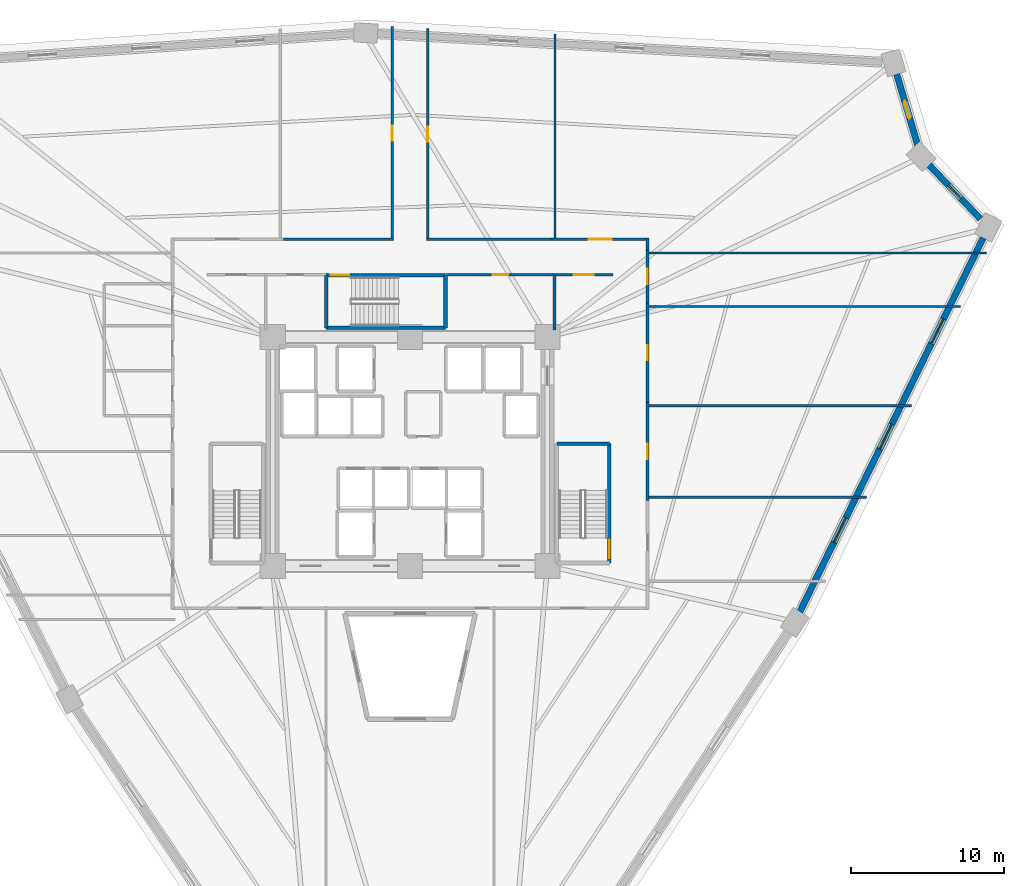
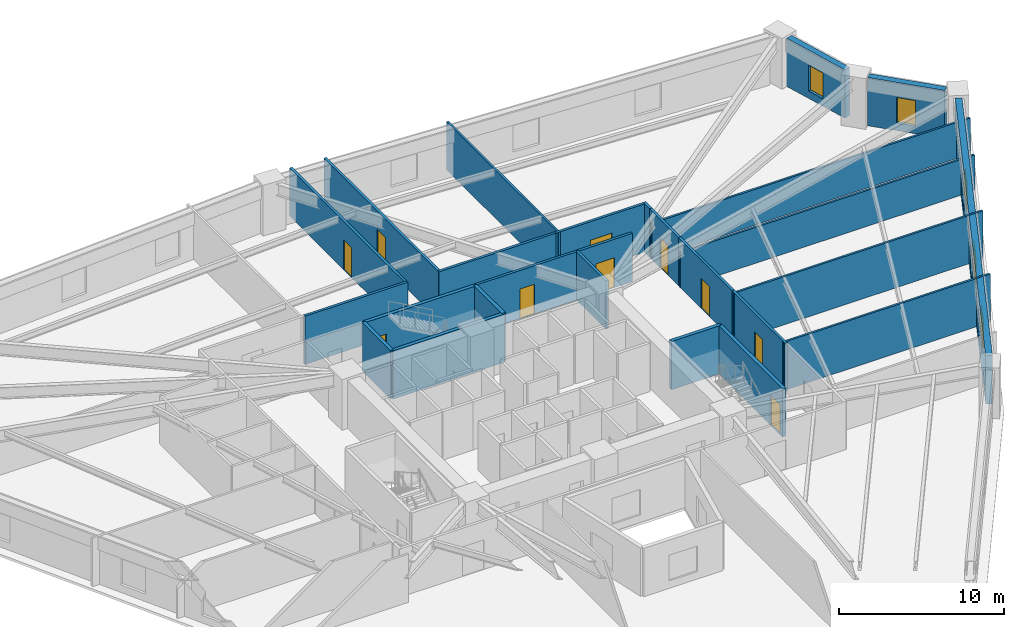
# One storey, part 6 of 8: 26 walls, 10 doors, 5 windows, 15 openings.
"""IFC4 building model written with IfcOpenShell, lengths in metres."""

from ifc_helpers import new_model, si_unit, direction, frame, frame_2d, origin, place, context, subcontext, project, spatial, rectangle, extrude, source, transform, mapped, material, layer, layer_set, type_object, element, fill, save


model = new_model("IFC4")

# Units and contexts
model_context = context("Model", 3, precision=1e-05, world=origin(), true_north=direction((0.0, 1.0)))
body_context = subcontext(model_context, "Body", "Model", "MODEL_VIEW")
ifc_project = project(units=[si_unit("LENGTHUNIT", "METRE"), si_unit("AREAUNIT", "SQUARE_METRE"), si_unit("VOLUMEUNIT", "CUBIC_METRE"), si_unit("PLANEANGLEUNIT", "RADIAN"), si_unit("MASSUNIT", "GRAM", prefix="KILO")], contexts=[model_context])

# Site, building, storey
site_placement = place(None, origin())
site = spatial("IfcSite", under=ifc_project, at=site_placement, CompositionType="ELEMENT")
building_placement = place(site_placement, origin())
building = spatial("IfcBuilding", under=site, at=building_placement, Name="Liaohun Quay Tower", CompositionType="ELEMENT")
storey_placement = place(building_placement, frame((0.0, 0.0, 81.75)))
storey = spatial("IfcBuildingStorey", under=building, at=storey_placement, Name="L21", CompositionType="ELEMENT", Elevation=81.75)

# Wall, openings, windows
ifc_material_1 = material(Name="Precast concrete C50 insulated sandwich", Category="concrete")
ifc_layer_1 = layer(ifc_material_1, 0.419921875, Name="Precast concrete C50 insulated sandwich", Category="concrete")
ifc_layer_set_1 = layer_set([ifc_layer_1], Name="Precast concrete C50 insulated sandwich")
wall_type_1 = type_object("IfcWallType", Name="WAL-EXT-Z12", PredefinedType="SOLIDWALL", material=ifc_layer_set_1)
wall_1_placement = place(storey_placement, frame((85.532958984375, 43.492919921875, 0.0), z_axis=(0.0, 0.0, 1.0), x_axis=(0.440255770672, 0.897872405406, 0.0)))
wall_1 = element("IfcWall", 1, at=wall_1_placement, inside=storey, type_object=wall_type_1, Name="L21 Brutalist Precast Pier Wall 03", PredefinedType="SOLIDWALL", context=body_context, shape_type="SweptSolid", body=[
    extrude(rectangle(XDim=27.295654296875, YDim=0.419921875, at=frame_2d((13.64794921875, 0.0))), origin(), (0.0, 0.0, 1.0), 3.570068359375),
])
shared_shape_1 = source(origin(), body_context, "Body", "SweptSolid", [
    extrude(rectangle(XDim=1.800048828125, YDim=1.949951171875, at=frame_2d((0.89990234375, 0.97509765625))), frame((0.0, 0.219970703125, 0.0), z_axis=(0.0, -1.0, 0.0), x_axis=(1.0, 0.0, 0.0)), (0.0, 0.0, 1.0), 0.43994140625),
])
opening_1_placement = place(wall_1_placement, frame((5.073974609375, 0.0, 0.550048828125)))
opening_1 = element("IfcOpeningElement", 2, at=opening_1_placement, cuts=wall_1, Name="Opening W01", PredefinedType="OPENING", context=body_context, shape_type="MappedRepresentation", body=[
    mapped(shared_shape_1, transform((0.0, 0.0, 0.0), x_axis=(1.0, 0.0, 0.0), y_axis=(0.0, 1.0, 0.0), z_axis=(0.0, 0.0, 1.0), scale=1.0)),
])
opening_2_placement = place(wall_1_placement, frame((11.89794921875, 0.0, 0.550048828125)))
opening_2 = element("IfcOpeningElement", 3, at=opening_2_placement, cuts=wall_1, Name="Opening W01", PredefinedType="OPENING", context=body_context, shape_type="MappedRepresentation", body=[
    mapped(shared_shape_1, transform((0.0, 0.0, 0.0), x_axis=(1.0, 0.0, 0.0), y_axis=(0.0, 1.0, 0.0), z_axis=(0.0, 0.0, 1.0), scale=1.0)),
])
opening_3_placement = place(wall_1_placement, frame((19.572021484375, 0.0, 0.550048828125)))
opening_3 = element("IfcOpeningElement", 4, at=opening_3_placement, cuts=wall_1, Name="Opening W01", PredefinedType="OPENING", context=body_context, shape_type="MappedRepresentation", body=[
    mapped(shared_shape_1, transform((0.0, 0.0, 0.0), x_axis=(1.0, 0.0, 0.0), y_axis=(0.0, 1.0, 0.0), z_axis=(0.0, 0.0, 1.0), scale=1.0)),
])
ifc_material_2 = material(Name="Triple Low-E argon glazing in thermally broken aluminium", Category="aluminium")
window_type_1 = type_object("IfcWindowType", Name="WIN-PUN-Z1", PartitioningType="DOUBLE_PANEL_VERTICAL", PredefinedType="WINDOW", material=ifc_material_2)
shared_shape_2 = source(origin(), body_context, "Body", "SweptSolid", [
    extrude(rectangle(XDim=1.800048828125, YDim=1.949951171875, at=frame_2d((0.89990234375, 0.97509765625))), frame((0.0, 0.030029296875, 0.0), z_axis=(0.0, -1.0, 0.0), x_axis=(1.0, 0.0, 0.0)), (0.0, 0.0, 1.0), 0.06005859375),
])
window_1_placement = place(opening_1_placement, origin())
window_1 = element("IfcWindow", 5, at=window_1_placement, inside=storey, type_object=window_type_1, Name="L21 Recessed Cold-Climate Punched Window 03-1", OverallHeight=1.949951171875, OverallWidth=1.800048828125, PartitioningType="DOUBLE_PANEL_VERTICAL", PredefinedType="WINDOW", context=body_context, shape_type="MappedRepresentation", body=[
    mapped(shared_shape_2, transform((0.0, 0.0, 0.0), x_axis=(1.0, 0.0, 0.0), y_axis=(0.0, 1.0, 0.0), z_axis=(0.0, 0.0, 1.0), scale=1.0)),
])
fill(opening_1, window_1)
window_2_placement = place(opening_2_placement, origin())
window_2 = element("IfcWindow", 6, at=window_2_placement, inside=storey, type_object=window_type_1, Name="L21 Recessed Cold-Climate Punched Window 03-2", OverallHeight=1.949951171875, OverallWidth=1.800048828125, PartitioningType="DOUBLE_PANEL_VERTICAL", PredefinedType="WINDOW", context=body_context, shape_type="MappedRepresentation", body=[
    mapped(shared_shape_2, transform((0.0, 0.0, 0.0), x_axis=(1.0, 0.0, 0.0), y_axis=(0.0, 1.0, 0.0), z_axis=(0.0, 0.0, 1.0), scale=1.0)),
])
fill(opening_2, window_2)
window_3_placement = place(opening_3_placement, origin())
window_3 = element("IfcWindow", 7, at=window_3_placement, inside=storey, type_object=window_type_1, Name="L21 Recessed Cold-Climate Punched Window 03-3", OverallHeight=1.949951171875, OverallWidth=1.800048828125, PartitioningType="DOUBLE_PANEL_VERTICAL", PredefinedType="WINDOW", context=body_context, shape_type="MappedRepresentation", body=[
    mapped(shared_shape_2, transform((0.0, 0.0, 0.0), x_axis=(1.0, 0.0, 0.0), y_axis=(0.0, 1.0, 0.0), z_axis=(0.0, 0.0, 1.0), scale=1.0)),
])
fill(opening_3, window_3)

# Wall, opening, window
wall_2_placement = place(storey_placement, frame((97.360107421875, 69.241943359375, 0.0), z_axis=(0.0, 0.0, 1.0), x_axis=(-0.689353606937, 0.724425016549, 0.0)))
wall_2 = element("IfcWall", 8, at=wall_2_placement, inside=storey, type_object=wall_type_1, Name="L21 Brutalist Precast Pier Wall 04", PredefinedType="SOLIDWALL", context=body_context, shape_type="SweptSolid", body=[
    extrude(rectangle(XDim=4.872802734375, YDim=0.419921875, at=frame_2d((2.4365234375, 0.0))), origin(), (0.0, 0.0, 1.0), 3.570068359375),
])
shared_shape_3 = source(origin(), body_context, "Body", "SweptSolid", [
    extrude(rectangle(XDim=1.199951171875, YDim=1.89990234375, at=frame_2d((0.60009765625, 0.949951171875))), frame((0.0, 0.219970703125, 0.0), z_axis=(0.0, -1.0, 0.0), x_axis=(1.0, 0.0, 0.0)), (0.0, 0.0, 1.0), 0.43994140625),
])
opening_4_placement = place(wall_2_placement, frame((1.8359375, 0.0, 0.550048828125)))
opening_4 = element("IfcOpeningElement", 9, at=opening_4_placement, cuts=wall_2, Name="Opening W05", PredefinedType="OPENING", context=body_context, shape_type="MappedRepresentation", body=[
    mapped(shared_shape_3, transform((0.0, 0.0, 0.0), x_axis=(1.0, 0.0, 0.0), y_axis=(0.0, 1.0, 0.0), z_axis=(0.0, 0.0, 1.0), scale=1.0)),
])
ifc_material_3 = material(Name="Triple Low-E corner notch glazing", Category="glass")
window_type_2 = type_object("IfcWindowType", Name="WIN-NOTCH", PartitioningType="SINGLE_PANEL", PredefinedType="WINDOW", material=ifc_material_3)
shared_shape_4 = source(origin(), body_context, "Body", "SweptSolid", [
    extrude(rectangle(XDim=1.199951171875, YDim=1.89990234375, at=frame_2d((0.60009765625, 0.949951171875))), frame((0.0, 0.030029296875, 0.0), z_axis=(0.0, -1.0, 0.0), x_axis=(1.0, 0.0, 0.0)), (0.0, 0.0, 1.0), 0.06005859375),
])
window_4_placement = place(opening_4_placement, origin())
window_4 = element("IfcWindow", 10, at=window_4_placement, inside=storey, type_object=window_type_2, Name="L21 Corner Notch Window W05-04", OverallHeight=1.89990234375, OverallWidth=1.199951171875, PartitioningType="SINGLE_PANEL", PredefinedType="WINDOW", context=body_context, shape_type="MappedRepresentation", body=[
    mapped(shared_shape_4, transform((0.0, 0.0, 0.0), x_axis=(1.0, 0.0, 0.0), y_axis=(0.0, 1.0, 0.0), z_axis=(0.0, 0.0, 1.0), scale=1.0)),
])
fill(opening_4, window_4)

wall_3_placement = place(storey_placement, frame((93.258056640625, 74.06005859375, 0.0), z_axis=(0.0, 0.0, 1.0), x_axis=(-0.282850961841, 0.959163872019, 0.0)))
wall_3 = element("IfcWall", 11, at=wall_3_placement, inside=storey, type_object=wall_type_1, Name="L21 Brutalist Precast Pier Wall 05", PredefinedType="SOLIDWALL", context=body_context, shape_type="SweptSolid", body=[
    extrude(rectangle(XDim=4.86474609375, YDim=0.419921875, at=frame_2d((2.432373046875, 0.0))), origin(), (0.0, 0.0, 1.0), 3.570068359375),
])
opening_5_placement = place(wall_3_placement, frame((1.83203125, 0.0, 0.550048828125)))
opening_5 = element("IfcOpeningElement", 12, at=opening_5_placement, cuts=wall_3, Name="Opening W05", PredefinedType="OPENING", context=body_context, shape_type="MappedRepresentation", body=[
    mapped(shared_shape_3, transform((0.0, 0.0, 0.0), x_axis=(1.0, 0.0, 0.0), y_axis=(0.0, 1.0, 0.0), z_axis=(0.0, 0.0, 1.0), scale=1.0)),
])
window_5_placement = place(opening_5_placement, origin())
window_5 = element("IfcWindow", 13, at=window_5_placement, inside=storey, type_object=window_type_2, Name="L21 Corner Notch Window W05-05", OverallHeight=1.89990234375, OverallWidth=1.199951171875, PartitioningType="SINGLE_PANEL", PredefinedType="WINDOW", context=body_context, shape_type="MappedRepresentation", body=[
    mapped(shared_shape_4, transform((0.0, 0.0, 0.0), x_axis=(1.0, 0.0, 0.0), y_axis=(0.0, 1.0, 0.0), z_axis=(0.0, 0.0, 1.0), scale=1.0)),
])
fill(opening_5, window_5)

# Wall, opening, door
ifc_material_4 = material(Name="Autoclaved aerated concrete blockwork", Category="masonry")
ifc_layer_2 = layer(ifc_material_4, 0.179931640625, Name="Autoclaved aerated concrete blockwork", Category="masonry")
ifc_layer_set_2 = layer_set([ifc_layer_2], Name="Autoclaved aerated concrete blockwork")
wall_type_2 = type_object("IfcWallType", Name="WAL-PRT-COR", PredefinedType="PARTITIONING", material=ifc_layer_set_2)
wall_4_placement = place(storey_placement, frame((62.389892578125, 65.580078125, 0.0), z_axis=(0.0, 0.0, 1.0), x_axis=(1.0, 0.0, 0.0)))
wall_4 = element("IfcWall", 14, at=wall_4_placement, inside=storey, type_object=wall_type_2, Name="L21 Interior Partition Wall 006", PredefinedType="PARTITIONING", context=body_context, shape_type="SweptSolid", body=[
    extrude(rectangle(XDim=7.070068359375, YDim=0.179931640625, at=frame_2d((3.53515625, 0.0))), origin(), (0.0, 0.0, 1.0), 3.570068359375),
])
shared_shape_5 = source(origin(), body_context, "Body", "SweptSolid", [
    extrude(rectangle(XDim=1.0, YDim=2.199951171875, at=frame_2d((0.5, 1.10009765625))), frame((0.0, 0.099853515625, 0.0), z_axis=(0.0, -1.0, 0.0), x_axis=(1.0, 0.0, 0.0)), (0.0, 0.0, 1.0), 0.199951171875),
])
opening_6_placement = place(wall_4_placement, frame((3.034912109375, 0.0, 0.0)))
opening_6 = element("IfcOpeningElement", 15, at=opening_6_placement, cuts=wall_4, Name="Opening OD1", PredefinedType="OPENING", context=body_context, shape_type="MappedRepresentation", body=[
    mapped(shared_shape_5, transform((0.0, 0.0, 0.0), x_axis=(1.0, 0.0, 0.0), y_axis=(0.0, 1.0, 0.0), z_axis=(0.0, 0.0, 1.0), scale=1.0)),
])
ifc_material_5 = material(Name="Solid-core oak veneer timber leaf in steel frame", Category="steel")
door_type_1 = type_object("IfcDoorType", Name="DOR-OFF-1000", OperationType="NOTDEFINED", PredefinedType="DOOR", material=ifc_material_5)
shared_shape_6 = source(origin(), body_context, "Body", "SweptSolid", [
    extrude(rectangle(XDim=1.0, YDim=2.199951171875, at=frame_2d((0.5, 1.10009765625))), frame((0.0, 0.02490234375, 0.0), z_axis=(0.0, -1.0, 0.0), x_axis=(1.0, 0.0, 0.0)), (0.0, 0.0, 1.0), 0.050048828125),
])
door_1_placement = place(opening_6_placement, origin())
door_1 = element("IfcDoor", 16, at=door_1_placement, inside=storey, type_object=door_type_1, Name="L21 North-East Archive and Mail Room Door", OperationType="SINGLE_SWING_RIGHT", OverallHeight=2.199951171875, OverallWidth=1.0, PredefinedType="DOOR", context=body_context, shape_type="MappedRepresentation", body=[
    mapped(shared_shape_6, transform((0.0, 0.0, 0.0), x_axis=(1.0, 0.0, 0.0), y_axis=(0.0, 1.0, 0.0), z_axis=(0.0, 0.0, 1.0), scale=1.0)),
])
fill(opening_6, door_1)

wall_5_placement = place(storey_placement, frame((69.4599609375, 65.580078125, 0.0), z_axis=(0.0, 0.0, 1.0), x_axis=(1.0, 0.0, 0.0)))
wall_5 = element("IfcWall", 17, at=wall_5_placement, inside=storey, type_object=wall_type_2, Name="L21 Interior Partition Wall 008", PredefinedType="PARTITIONING", context=body_context, shape_type="SweptSolid", body=[
    extrude(rectangle(XDim=3.840087890625, YDim=0.179931640625, at=frame_2d((1.919921875, 0.0))), origin(), (0.0, 0.0, 1.0), 3.570068359375),
])
shared_shape_7 = source(origin(), body_context, "Body", "SweptSolid", [
    extrude(rectangle(XDim=1.300048828125, YDim=2.199951171875, at=frame_2d((0.64990234375, 1.10009765625))), frame((0.0, 0.099853515625, 0.0), z_axis=(0.0, -1.0, 0.0), x_axis=(1.0, 0.0, 0.0)), (0.0, 0.0, 1.0), 0.199951171875),
])
opening_7_placement = place(wall_5_placement, frame((1.27001953125, 0.0, 0.0)))
opening_7 = element("IfcOpeningElement", 18, at=opening_7_placement, cuts=wall_5, Name="Opening FD1", PredefinedType="OPENING", context=body_context, shape_type="MappedRepresentation", body=[
    mapped(shared_shape_7, transform((0.0, 0.0, 0.0), x_axis=(1.0, 0.0, 0.0), y_axis=(0.0, 1.0, 0.0), z_axis=(0.0, 0.0, 1.0), scale=1.0)),
])
ifc_material_6 = material(Name="Galvanised steel smokeproof fire door", Category="steel")
door_type_2 = type_object("IfcDoorType", Name="DOR-FFL-1300", OperationType="NOTDEFINED", PredefinedType="DOOR", material=ifc_material_6)
shared_shape_8 = source(origin(), body_context, "Body", "SweptSolid", [
    extrude(rectangle(XDim=1.300048828125, YDim=2.199951171875, at=frame_2d((0.64990234375, 1.10009765625))), frame((0.0, 0.02490234375, 0.0), z_axis=(0.0, -1.0, 0.0), x_axis=(1.0, 0.0, 0.0)), (0.0, 0.0, 1.0), 0.050048828125),
])
door_2_placement = place(opening_7_placement, origin())
door_2 = element("IfcDoor", 19, at=door_2_placement, inside=storey, type_object=door_type_2, Name="L21 East Core Vestibule Door", OperationType="SINGLE_SWING_RIGHT", OverallHeight=2.199951171875, OverallWidth=1.300048828125, PredefinedType="DOOR", context=body_context, shape_type="MappedRepresentation", body=[
    mapped(shared_shape_8, transform((0.0, 0.0, 0.0), x_axis=(1.0, 0.0, 0.0), y_axis=(0.0, 1.0, 0.0), z_axis=(0.0, 0.0, 1.0), scale=1.0)),
])
fill(opening_7, door_2)

wall_6_placement = place(storey_placement, frame((75.56005859375, 57.215087890625, 0.0), z_axis=(0.0, 0.0, 1.0), x_axis=(0.0, -1.0, 0.0)))
wall_6 = element("IfcWall", 20, at=wall_6_placement, inside=storey, type_object=wall_type_2, Name="L21 Interior Partition Wall 009", PredefinedType="PARTITIONING", context=body_context, shape_type="SweptSolid", body=[
    extrude(rectangle(XDim=6.43017578125, YDim=0.179931640625, at=frame_2d((3.215087890625, 0.0))), origin(), (0.0, 0.0, 1.0), 3.570068359375),
])
opening_8_placement = place(wall_6_placement, frame((2.715087890625, 0.0, 0.0)))
opening_8 = element("IfcOpeningElement", 21, at=opening_8_placement, cuts=wall_6, Name="Opening OD1", PredefinedType="OPENING", context=body_context, shape_type="MappedRepresentation", body=[
    mapped(shared_shape_5, transform((0.0, 0.0, 0.0), x_axis=(1.0, 0.0, 0.0), y_axis=(0.0, 1.0, 0.0), z_axis=(0.0, 0.0, 1.0), scale=1.0)),
])
door_3_placement = place(opening_8_placement, origin())
door_3 = element("IfcDoor", 22, at=door_3_placement, inside=storey, type_object=door_type_1, Name="L21 Architectural Design Studio 01 Door", OperationType="SINGLE_SWING_LEFT", OverallHeight=2.199951171875, OverallWidth=1.0, PredefinedType="DOOR", context=body_context, shape_type="MappedRepresentation", body=[
    mapped(shared_shape_6, transform((0.0, 0.0, 0.0), x_axis=(1.0, 0.0, 0.0), y_axis=(0.0, 1.0, 0.0), z_axis=(0.0, 0.0, 1.0), scale=1.0)),
])
fill(opening_8, door_3)

wall_7_placement = place(storey_placement, frame((75.56005859375, 63.715087890625, 0.0), z_axis=(0.0, 0.0, 1.0), x_axis=(0.0, -1.0, 0.0)))
wall_7 = element("IfcWall", 23, at=wall_7_placement, inside=storey, type_object=wall_type_2, Name="L21 Interior Partition Wall 010", PredefinedType="PARTITIONING", context=body_context, shape_type="SweptSolid", body=[
    extrude(rectangle(XDim=6.5, YDim=0.179931640625, at=frame_2d((3.25, 0.0))), origin(), (0.0, 0.0, 1.0), 3.570068359375),
])
opening_9_placement = place(wall_7_placement, frame((2.75, 0.0, 0.0)))
opening_9 = element("IfcOpeningElement", 24, at=opening_9_placement, cuts=wall_7, Name="Opening OD1", PredefinedType="OPENING", context=body_context, shape_type="MappedRepresentation", body=[
    mapped(shared_shape_5, transform((0.0, 0.0, 0.0), x_axis=(1.0, 0.0, 0.0), y_axis=(0.0, 1.0, 0.0), z_axis=(0.0, 0.0, 1.0), scale=1.0)),
])
door_4_placement = place(opening_9_placement, origin())
door_4 = element("IfcDoor", 25, at=door_4_placement, inside=storey, type_object=door_type_1, Name="L21 Occupational Wellness Clinic 02 Door", OperationType="SINGLE_SWING_RIGHT", OverallHeight=2.199951171875, OverallWidth=1.0, PredefinedType="DOOR", context=body_context, shape_type="MappedRepresentation", body=[
    mapped(shared_shape_6, transform((0.0, 0.0, 0.0), x_axis=(1.0, 0.0, 0.0), y_axis=(0.0, 1.0, 0.0), z_axis=(0.0, 0.0, 1.0), scale=1.0)),
])
fill(opening_9, door_4)

wall_8_placement = place(storey_placement, frame((75.56005859375, 67.215087890625, 0.0), z_axis=(0.0, 0.0, 1.0), x_axis=(0.0, -1.0, 0.0)))
wall_8 = element("IfcWall", 26, at=wall_8_placement, inside=storey, type_object=wall_type_2, Name="L21 Interior Partition Wall 011", PredefinedType="PARTITIONING", context=body_context, shape_type="SweptSolid", body=[
    extrude(rectangle(XDim=3.5, YDim=0.179931640625, at=frame_2d((1.75, 0.0))), origin(), (0.0, 0.0, 1.0), 3.570068359375),
])
opening_10_placement = place(wall_8_placement, frame((1.25, 0.0, 0.0)))
opening_10 = element("IfcOpeningElement", 27, at=opening_10_placement, cuts=wall_8, Name="Opening OD1", PredefinedType="OPENING", context=body_context, shape_type="MappedRepresentation", body=[
    mapped(shared_shape_5, transform((0.0, 0.0, 0.0), x_axis=(1.0, 0.0, 0.0), y_axis=(0.0, 1.0, 0.0), z_axis=(0.0, 0.0, 1.0), scale=1.0)),
])
door_5_placement = place(opening_10_placement, origin())
door_5 = element("IfcDoor", 28, at=door_5_placement, inside=storey, type_object=door_type_1, Name="L21 Architectural Design Studio 03 Door", OperationType="SINGLE_SWING_LEFT", OverallHeight=2.199951171875, OverallWidth=1.0, PredefinedType="DOOR", context=body_context, shape_type="MappedRepresentation", body=[
    mapped(shared_shape_6, transform((0.0, 0.0, 0.0), x_axis=(1.0, 0.0, 0.0), y_axis=(0.0, 1.0, 0.0), z_axis=(0.0, 0.0, 1.0), scale=1.0)),
])
fill(opening_10, door_5)

wall_9_placement = place(storey_placement, frame((69.284912109375, 67.909912109375, 0.0), z_axis=(0.0, 0.0, 1.0), x_axis=(1.0, 0.0, 0.0)))
wall_9 = element("IfcWall", 29, at=wall_9_placement, inside=storey, type_object=wall_type_2, Name="L21 Interior Partition Wall 012", PredefinedType="PARTITIONING", context=body_context, shape_type="SweptSolid", body=[
    extrude(rectangle(XDim=6.344970703125, YDim=0.179931640625, at=frame_2d((3.17236328125, 0.0))), origin(), (0.0, 0.0, 1.0), 3.570068359375),
])
shared_shape_9 = source(origin(), body_context, "Body", "SweptSolid", [
    extrude(rectangle(XDim=1.5, YDim=2.199951171875, at=frame_2d((0.75, 1.10009765625))), frame((0.0, 0.099853515625, 0.0), z_axis=(0.0, -1.0, 0.0), x_axis=(1.0, 0.0, 0.0)), (0.0, 0.0, 1.0), 0.199951171875),
])
opening_11_placement = place(wall_9_placement, frame((2.422119140625, 0.0, 0.0)))
opening_11 = element("IfcOpeningElement", 30, at=opening_11_placement, cuts=wall_9, Name="Opening OD2", PredefinedType="OPENING", context=body_context, shape_type="MappedRepresentation", body=[
    mapped(shared_shape_9, transform((0.0, 0.0, 0.0), x_axis=(1.0, 0.0, 0.0), y_axis=(0.0, 1.0, 0.0), z_axis=(0.0, 0.0, 1.0), scale=1.0)),
])
ifc_material_7 = material(Name="Acoustic oak veneer double door")
door_type_3 = type_object("IfcDoorType", Name="DOR-OFF-1500", OperationType="DOUBLE_DOOR_SINGLE_SWING", PredefinedType="DOOR", material=ifc_material_7)
shared_shape_10 = source(origin(), body_context, "Body", "SweptSolid", [
    extrude(rectangle(XDim=1.5, YDim=2.199951171875, at=frame_2d((0.75, 1.10009765625))), frame((0.0, 0.02490234375, 0.0), z_axis=(0.0, -1.0, 0.0), x_axis=(1.0, 0.0, 0.0)), (0.0, 0.0, 1.0), 0.050048828125),
])
door_6_placement = place(opening_11_placement, origin())
door_6 = element("IfcDoor", 31, at=door_6_placement, inside=storey, type_object=door_type_3, Name="L21 Project Collaboration Studio 04 Door", OperationType="DOUBLE_DOOR_SINGLE_SWING", OverallHeight=2.199951171875, OverallWidth=1.5, PredefinedType="DOOR", context=body_context, shape_type="MappedRepresentation", body=[
    mapped(shared_shape_10, transform((0.0, 0.0, 0.0), x_axis=(1.0, 0.0, 0.0), y_axis=(0.0, 1.0, 0.0), z_axis=(0.0, 0.0, 1.0), scale=1.0)),
])
fill(opening_11, door_6)

wall_10_placement = place(storey_placement, frame((61.159912109375, 81.72900390625, 0.0), z_axis=(0.0, 0.0, 1.0), x_axis=(0.0, -1.0, 0.0)))
wall_10 = element("IfcWall", 32, at=wall_10_placement, inside=storey, type_object=wall_type_2, Name="L21 Interior Partition Wall 013", PredefinedType="PARTITIONING", context=body_context, shape_type="SweptSolid", body=[
    extrude(rectangle(XDim=13.888916015625, YDim=0.179931640625, at=frame_2d((6.9443359375, 0.0))), origin(), (0.0, 0.0, 1.0), 3.570068359375),
])
opening_12_placement = place(wall_10_placement, frame((6.444091796875, 0.0, 0.0)))
opening_12 = element("IfcOpeningElement", 33, at=opening_12_placement, cuts=wall_10, Name="Opening OD1", PredefinedType="OPENING", context=body_context, shape_type="MappedRepresentation", body=[
    mapped(shared_shape_5, transform((0.0, 0.0, 0.0), x_axis=(1.0, 0.0, 0.0), y_axis=(0.0, 1.0, 0.0), z_axis=(0.0, 0.0, 1.0), scale=1.0)),
])
door_7_placement = place(opening_12_placement, origin())
door_7 = element("IfcDoor", 34, at=door_7_placement, inside=storey, type_object=door_type_1, Name="L21 Occupational Wellness Clinic 05 Door", OperationType="SINGLE_SWING_LEFT", OverallHeight=2.199951171875, OverallWidth=1.0, PredefinedType="DOOR", context=body_context, shape_type="MappedRepresentation", body=[
    mapped(shared_shape_6, transform((0.0, 0.0, 0.0), x_axis=(1.0, 0.0, 0.0), y_axis=(0.0, 1.0, 0.0), z_axis=(0.0, 0.0, 1.0), scale=1.0)),
])
fill(opening_12, door_7)

wall_11_placement = place(storey_placement, frame((58.840087890625, 67.840087890625, 0.0), z_axis=(0.0, 0.0, 1.0), x_axis=(0.0, 1.0, 0.0)))
wall_11 = element("IfcWall", 35, at=wall_11_placement, inside=storey, type_object=wall_type_2, Name="L21 Interior Partition Wall 014", PredefinedType="PARTITIONING", context=body_context, shape_type="SweptSolid", body=[
    extrude(rectangle(XDim=14.02001953125, YDim=0.179931640625, at=frame_2d((7.010009765625, 0.0))), origin(), (0.0, 0.0, 1.0), 3.570068359375),
])
opening_13_placement = place(wall_11_placement, frame((6.510009765625, 0.0, 0.0)))
opening_13 = element("IfcOpeningElement", 36, at=opening_13_placement, cuts=wall_11, Name="Opening OD1", PredefinedType="OPENING", context=body_context, shape_type="MappedRepresentation", body=[
    mapped(shared_shape_5, transform((0.0, 0.0, 0.0), x_axis=(1.0, 0.0, 0.0), y_axis=(0.0, 1.0, 0.0), z_axis=(0.0, 0.0, 1.0), scale=1.0)),
])
door_8_placement = place(opening_13_placement, origin())
door_8 = element("IfcDoor", 37, at=door_8_placement, inside=storey, type_object=door_type_1, Name="L21 Staff Tea Kitchen and Pantry 06 Door", OperationType="SINGLE_SWING_RIGHT", OverallHeight=2.199951171875, OverallWidth=1.0, PredefinedType="DOOR", context=body_context, shape_type="MappedRepresentation", body=[
    mapped(shared_shape_6, transform((0.0, 0.0, 0.0), x_axis=(1.0, 0.0, 0.0), y_axis=(0.0, 1.0, 0.0), z_axis=(0.0, 0.0, 1.0), scale=1.0)),
])
fill(opening_13, door_8)

# Walls
wall_12_placement = place(storey_placement, frame((69.4599609375, 61.949951171875, 0.0), z_axis=(0.0, 0.0, 1.0), x_axis=(0.0, 1.0, 0.0)))
element("IfcWall", 38, at=wall_12_placement, inside=storey, type_object=wall_type_2, Name="L21 Interior Partition Wall 032", PredefinedType="PARTITIONING", context=body_context, shape_type="SweptSolid", body=[
    extrude(rectangle(XDim=3.630126953125, YDim=0.179931640625, at=frame_2d((1.81494140625, 0.0))), origin(), (0.0, 0.0, 1.0), 3.570068359375),
])
wall_13_placement = place(storey_placement, frame((75.56005859375, 67.97998046875, 0.0), z_axis=(0.0, 0.0, 1.0), x_axis=(0.0, -1.0, 0.0)))
element("IfcWall", 39, at=wall_13_placement, inside=storey, type_object=wall_type_2, Name="L21 Interior Partition Wall 033", PredefinedType="PARTITIONING", context=body_context, shape_type="SweptSolid", body=[
    extrude(rectangle(XDim=0.764892578125, YDim=0.179931640625, at=frame_2d((0.38232421875, 0.0))), origin(), (0.0, 0.0, 1.0), 3.570068359375),
])
wall_14_placement = place(storey_placement, frame((61.090087890625, 67.909912109375, 0.0), z_axis=(0.0, 0.0, 1.0), x_axis=(1.0, 0.0, 0.0)))
element("IfcWall", 40, at=wall_14_placement, inside=storey, type_object=wall_type_2, Name="L21 Interior Partition Wall 034", PredefinedType="PARTITIONING", context=body_context, shape_type="SweptSolid", body=[
    extrude(rectangle(XDim=8.19482421875, YDim=0.179931640625, at=frame_2d((4.097412109375, 0.0))), origin(), (0.0, 0.0, 1.0), 3.570068359375),
])
wall_15_placement = place(storey_placement, frame((51.715087890625, 67.909912109375, 0.0), z_axis=(0.0, 0.0, 1.0), x_axis=(1.0, 0.0, 0.0)))
element("IfcWall", 41, at=wall_15_placement, inside=storey, type_object=wall_type_2, Name="L21 Interior Partition Wall 035", PredefinedType="PARTITIONING", context=body_context, shape_type="SweptSolid", body=[
    extrude(rectangle(XDim=7.19482421875, YDim=0.179931640625, at=frame_2d((3.597412109375, 0.0))), origin(), (0.0, 0.0, 1.0), 3.570068359375),
])
ifc_material_8 = material(Name="Gypsum board on twin steel studs", Category="steel")
ifc_layer_3 = layer(ifc_material_8, 0.139892578125, Name="Gypsum board on twin steel studs", Category="steel")
ifc_layer_set_3 = layer_set([ifc_layer_3], Name="Gypsum board on twin steel studs")
wall_type_3 = type_object("IfcWallType", Name="WAL-PRT-OFF", PredefinedType="PARTITIONING", material=ifc_layer_set_3)
wall_16_placement = place(storey_placement, frame((75.4599609375, 51.0, 0.0), z_axis=(0.0, 0.0, 1.0), x_axis=(1.0, 0.0, 0.0)))
element("IfcWall", 42, at=wall_16_placement, inside=storey, type_object=wall_type_3, Name="L21 Interior Partition Wall 046", PredefinedType="PARTITIONING", context=body_context, shape_type="SweptSolid", body=[
    extrude(rectangle(XDim=14.4560546875, YDim=0.139892578125, at=frame_2d((7.22802734375, 0.0))), origin(), (0.0, 0.0, 1.0), 3.570068359375),
])
wall_17_placement = place(storey_placement, frame((75.4599609375, 57.0, 0.0), z_axis=(0.0, 0.0, 1.0), x_axis=(1.0, 0.0, 0.0)))
element("IfcWall", 43, at=wall_17_placement, inside=storey, type_object=wall_type_3, Name="L21 Interior Partition Wall 047", PredefinedType="PARTITIONING", context=body_context, shape_type="SweptSolid", body=[
    extrude(rectangle(XDim=17.39794921875, YDim=0.139892578125, at=frame_2d((8.698974609375, 0.0))), origin(), (0.0, 0.0, 1.0), 3.570068359375),
])
wall_18_placement = place(storey_placement, frame((75.4599609375, 63.5, 0.0), z_axis=(0.0, 0.0, 1.0), x_axis=(1.0, 0.0, 0.0)))
element("IfcWall", 44, at=wall_18_placement, inside=storey, type_object=wall_type_3, Name="L21 Interior Partition Wall 048", PredefinedType="PARTITIONING", context=body_context, shape_type="SweptSolid", body=[
    extrude(rectangle(XDim=20.5849609375, YDim=0.139892578125, at=frame_2d((10.29248046875, 0.0))), origin(), (0.0, 0.0, 1.0), 2.655029296875),
])
wall_19_placement = place(storey_placement, frame((75.4599609375, 67.0, 0.0), z_axis=(0.0, 0.0, 1.0), x_axis=(1.0, 0.0, 0.0)))
element("IfcWall", 45, at=wall_19_placement, inside=storey, type_object=wall_type_3, Name="L21 Interior Partition Wall 049", PredefinedType="PARTITIONING", context=body_context, shape_type="SweptSolid", body=[
    extrude(rectangle(XDim=22.301025390625, YDim=0.139892578125, at=frame_2d((11.150390625, 0.0))), origin(), (0.0, 0.0, 1.0), 2.655029296875),
])
wall_20_placement = place(storey_placement, frame((69.5, 67.81005859375, 0.0), z_axis=(0.0, 0.0, 1.0), x_axis=(0.0, 1.0, 0.0)))
element("IfcWall", 46, at=wall_20_placement, inside=storey, type_object=wall_type_3, Name="L21 Interior Partition Wall 051", PredefinedType="PARTITIONING", context=body_context, shape_type="SweptSolid", body=[
    extrude(rectangle(XDim=13.536865234375, YDim=0.139892578125, at=frame_2d((6.7685546875, 0.0))), origin(), (0.0, 0.0, 1.0), 3.570068359375),
])

# Wall, opening, door
ifc_material_9 = material(Name="Concrete C50", Category="concrete")
ifc_layer_4 = layer(ifc_material_9, 0.239990234375, Name="Concrete C50", Category="concrete")
ifc_layer_set_4 = layer_set([ifc_layer_4], Name="Concrete C50")
wall_type_4 = type_object("IfcWallType", Name="WAL-SHF-200", PredefinedType="SOLIDWALL", material=ifc_layer_set_4)
wall_21_placement = place(storey_placement, frame((73.06005859375, 46.699951171875, 0.0), z_axis=(0.0, 0.0, 1.0), x_axis=(0.0, 1.0, 0.0)))
wall_21 = element("IfcWall", 47, at=wall_21_placement, inside=storey, type_object=wall_type_4, Name="L21 Stairwell ST-2 Structural Core Wall E", PredefinedType="SOLIDWALL", context=body_context, shape_type="SweptSolid", body=[
    extrude(rectangle(XDim=7.820068359375, YDim=0.239990234375, at=frame_2d((3.91015625, 0.0))), origin(), (0.0, 0.0, 1.0), 3.570068359375),
])
shared_shape_11 = source(origin(), body_context, "Body", "SweptSolid", [
    extrude(rectangle(XDim=1.199951171875, YDim=2.199951171875, at=frame_2d((0.60009765625, 1.10009765625))), frame((0.0, 0.1298828125, 0.0), z_axis=(0.0, -1.0, 0.0), x_axis=(1.0, 0.0, 0.0)), (0.0, 0.0, 1.0), 0.260009765625),
])
opening_14_placement = place(wall_21_placement, frame((0.320068359375, 0.0, 0.0)))
opening_14 = element("IfcOpeningElement", 48, at=opening_14_placement, cuts=wall_21, Name="Opening SD1", PredefinedType="OPENING", context=body_context, shape_type="MappedRepresentation", body=[
    mapped(shared_shape_11, transform((0.0, 0.0, 0.0), x_axis=(1.0, 0.0, 0.0), y_axis=(0.0, 1.0, 0.0), z_axis=(0.0, 0.0, 1.0), scale=1.0)),
])
ifc_material_10 = material(Name="Galvanised steel fire door", Category="steel")
door_type_4 = type_object("IfcDoorType", Name="DOR-STR-1200", OperationType="NOTDEFINED", PredefinedType="DOOR", material=ifc_material_10)
shared_shape_12 = source(origin(), body_context, "Body", "SweptSolid", [
    extrude(rectangle(XDim=1.199951171875, YDim=2.199951171875, at=frame_2d((0.60009765625, 1.10009765625))), frame((0.0, 0.02490234375, 0.0), z_axis=(0.0, -1.0, 0.0), x_axis=(1.0, 0.0, 0.0)), (0.0, 0.0, 1.0), 0.050048828125),
])
door_9_placement = place(opening_14_placement, origin())
door_9 = element("IfcDoor", 49, at=door_9_placement, inside=storey, type_object=door_type_4, Name="L21 Protected Stair ST-2 Fire Door", OperationType="SINGLE_SWING_RIGHT", OverallHeight=2.199951171875, OverallWidth=1.199951171875, PredefinedType="DOOR", context=body_context, shape_type="MappedRepresentation", body=[
    mapped(shared_shape_12, transform((0.0, 0.0, 0.0), x_axis=(1.0, 0.0, 0.0), y_axis=(0.0, 1.0, 0.0), z_axis=(0.0, 0.0, 1.0), scale=1.0)),
])
fill(opening_14, door_9)

# Walls
wall_22_placement = place(storey_placement, frame((73.06005859375, 54.52001953125, 0.0), z_axis=(0.0, 0.0, 1.0), x_axis=(-1.0, 0.0, 0.0)))
element("IfcWall", 50, at=wall_22_placement, inside=storey, type_object=wall_type_4, Name="L21 Stairwell ST-2 Structural Core Wall N", PredefinedType="SOLIDWALL", context=body_context, shape_type="SweptSolid", body=[
    extrude(rectangle(XDim=3.43994140625, YDim=0.239990234375, at=frame_2d((1.719970703125, 0.0))), origin(), (0.0, 0.0, 1.0), 3.570068359375),
])
wall_23_placement = place(storey_placement, frame((54.5, 62.10009765625, 0.0), z_axis=(0.0, 0.0, 1.0), x_axis=(1.0, 0.0, 0.0)))
element("IfcWall", 51, at=wall_23_placement, inside=storey, type_object=wall_type_4, Name="L21 Stairwell ST-3 Structural Core Wall S", PredefinedType="SOLIDWALL", context=body_context, shape_type="SweptSolid", body=[
    extrude(rectangle(XDim=7.820068359375, YDim=0.239990234375, at=frame_2d((3.91015625, 0.0))), origin(), (0.0, 0.0, 1.0), 3.570068359375),
])
wall_24_placement = place(storey_placement, frame((62.320068359375, 62.10009765625, 0.0), z_axis=(0.0, 0.0, 1.0), x_axis=(0.0, 1.0, 0.0)))
element("IfcWall", 52, at=wall_24_placement, inside=storey, type_object=wall_type_4, Name="L21 Stairwell ST-3 Structural Core Wall E", PredefinedType="SOLIDWALL", context=body_context, shape_type="SweptSolid", body=[
    extrude(rectangle(XDim=3.43994140625, YDim=0.239990234375, at=frame_2d((1.719970703125, 0.0))), origin(), (0.0, 0.0, 1.0), 3.570068359375),
])

# Wall, opening, door
wall_25_placement = place(storey_placement, frame((62.320068359375, 65.5400390625, 0.0), z_axis=(0.0, 0.0, 1.0), x_axis=(-1.0, 0.0, 0.0)))
wall_25 = element("IfcWall", 53, at=wall_25_placement, inside=storey, type_object=wall_type_4, Name="L21 Stairwell ST-3 Structural Core Wall N", PredefinedType="SOLIDWALL", context=body_context, shape_type="SweptSolid", body=[
    extrude(rectangle(XDim=7.820068359375, YDim=0.239990234375, at=frame_2d((3.91015625, 0.0))), origin(), (0.0, 0.0, 1.0), 3.570068359375),
])
opening_15_placement = place(wall_25_placement, frame((6.300048828125, 0.0, 0.0)))
opening_15 = element("IfcOpeningElement", 54, at=opening_15_placement, cuts=wall_25, Name="Opening SD1", PredefinedType="OPENING", context=body_context, shape_type="MappedRepresentation", body=[
    mapped(shared_shape_11, transform((0.0, 0.0, 0.0), x_axis=(1.0, 0.0, 0.0), y_axis=(0.0, 1.0, 0.0), z_axis=(0.0, 0.0, 1.0), scale=1.0)),
])
door_10_placement = place(opening_15_placement, origin())
door_10 = element("IfcDoor", 55, at=door_10_placement, inside=storey, type_object=door_type_4, Name="L21 Protected Stair ST-3 Fire Door", OperationType="SINGLE_SWING_RIGHT", OverallHeight=2.199951171875, OverallWidth=1.199951171875, PredefinedType="DOOR", context=body_context, shape_type="MappedRepresentation", body=[
    mapped(shared_shape_12, transform((0.0, 0.0, 0.0), x_axis=(1.0, 0.0, 0.0), y_axis=(0.0, 1.0, 0.0), z_axis=(0.0, 0.0, 1.0), scale=1.0)),
])
fill(opening_15, door_10)

# Wall
wall_26_placement = place(storey_placement, frame((54.5, 65.5400390625, 0.0), z_axis=(0.0, 0.0, 1.0), x_axis=(0.0, -1.0, 0.0)))
element("IfcWall", 56, at=wall_26_placement, inside=storey, type_object=wall_type_4, Name="L21 Stairwell ST-3 Structural Core Wall W", PredefinedType="SOLIDWALL", context=body_context, shape_type="SweptSolid", body=[
    extrude(rectangle(XDim=3.43994140625, YDim=0.239990234375, at=frame_2d((1.719970703125, 0.0))), origin(), (0.0, 0.0, 1.0), 3.570068359375),
])

save(model, "model.ifc")
